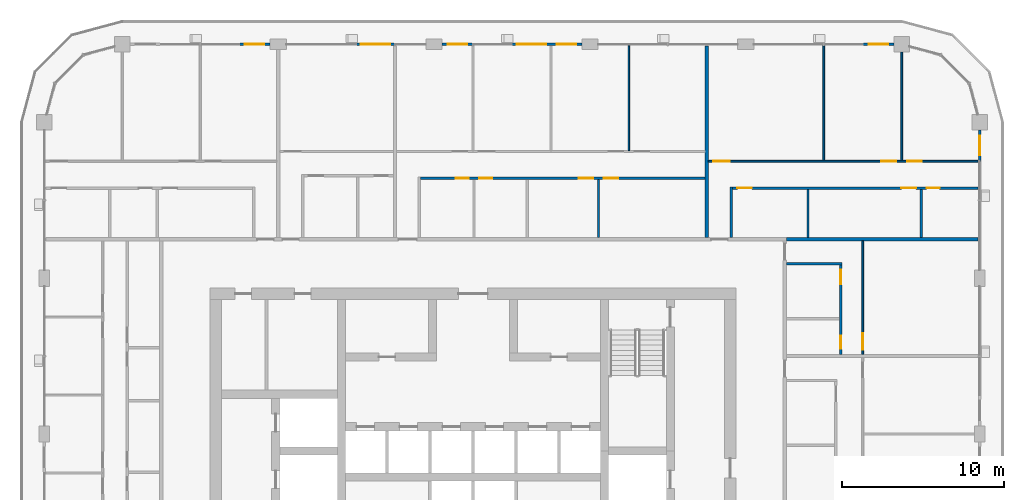
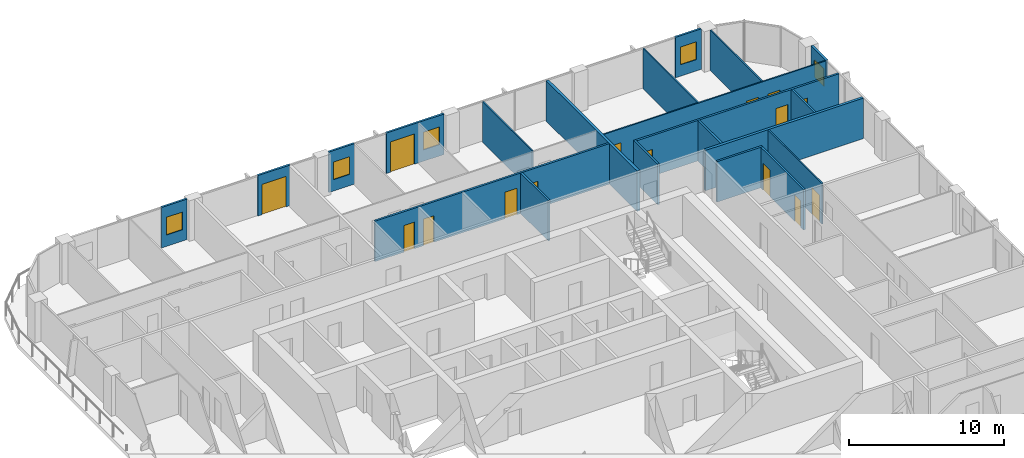
# One storey, part 15 of 23: 21 walls, 15 doors, 5 windows, 20 openings.
"""IFC4 building model written with IfcOpenShell, lengths in metres."""

from ifc_helpers import new_model, si_unit, direction, frame, frame_2d, origin, place, context, subcontext, project, spatial, rectangle, extrude, material, layer, layer_set, type_object, element, fill, save


model = new_model("IFC4")

# Units and contexts
model_context = context("Model", 3, precision=1e-05, world=origin(), true_north=direction((0.0, 1.0)))
body_context = subcontext(model_context, "Body", "Model", "MODEL_VIEW")
ifc_project = project(units=[si_unit("LENGTHUNIT", "METRE"), si_unit("AREAUNIT", "SQUARE_METRE"), si_unit("VOLUMEUNIT", "CUBIC_METRE"), si_unit("PLANEANGLEUNIT", "RADIAN"), si_unit("MASSUNIT", "GRAM", prefix="KILO")], contexts=[model_context])

# Site, building, storey
site_placement = place(None, origin())
site = spatial("IfcSite", under=ifc_project, at=site_placement, CompositionType="ELEMENT")
building_placement = place(site_placement, origin())
building = spatial("IfcBuilding", under=site, at=building_placement, Name="Madar Terraces", CompositionType="ELEMENT")
storey_placement = place(building_placement, frame((0.0, 0.0, 219.300048828125)))
storey = spatial("IfcBuildingStorey", under=building, at=storey_placement, Name="L57", CompositionType="ELEMENT", Elevation=219.300048828125)

# Wall, opening, window
ifc_material_1 = material(Name="Aluminium composite panel, black, over insulated backing", Category="aluminium")
ifc_layer_1 = layer(ifc_material_1, 0.14990234375)
ifc_layer_set_1 = layer_set([ifc_layer_1], Name="Facade bay panel 150")
wall_type_1 = type_object("IfcWallType", Name="Facade bay panel 150", PredefinedType="SOLIDWALL", material=ifc_layer_set_1)
wall_1_placement = place(storey_placement, frame((62.39990234375, 45.60009765625, 0.0), z_axis=(0.0, 0.0, 1.0), x_axis=(0.0, 1.0, 0.0)))
wall_1 = element("IfcWall", 1, at=wall_1_placement, inside=storey, type_object=wall_type_1, Name="Facade bay panel", PredefinedType="SOLIDWALL", context=body_context, shape_type="SweptSolid", body=[
    extrude(rectangle(XDim=1.9248046875, YDim=0.14990234375, at=frame_2d((0.96240234375, 0.0))), origin(), (0.0, 0.0, 1.0), 3.199951171875),
])
opening_1_placement = place(wall_1_placement, frame((0.362548828125, 0.0, 0.89990234375)))
opening_1 = element("IfcOpeningElement", 2, at=opening_1_placement, cuts=wall_1, Name="Opening W1", PredefinedType="OPENING", context=body_context, shape_type="SweptSolid", body=[
    extrude(rectangle(XDim=1.199951171875, YDim=1.39990234375, at=frame_2d((0.60009765625, 0.699951171875))), frame((0.0, 0.0849609375, 0.0), z_axis=(0.0, -1.0, 0.0), x_axis=(1.0, 0.0, 0.0)), (0.0, 0.0, 1.0), 0.169921875),
])
ifc_material_2 = material(Name="Glass, clear, with black aluminium frame", Category="aluminium")
window_type = type_object("IfcWindowType", Name="Vent window 1200 x 1400", PartitioningType="SINGLE_PANEL", PredefinedType="WINDOW", material=ifc_material_2)
window_1_placement = place(opening_1_placement, origin())
window_1 = element("IfcWindow", 3, at=window_1_placement, inside=storey, type_object=window_type, Name="Operable vent window", OverallHeight=1.39990234375, OverallWidth=1.199951171875, PartitioningType="SINGLE_PANEL", PredefinedType="WINDOW", context=body_context, shape_type="SweptSolid", body=[
    extrude(rectangle(XDim=1.199951171875, YDim=1.39990234375, at=frame_2d((0.60009765625, 0.699951171875))), frame((0.0, 0.030029296875, 0.0), z_axis=(0.0, -1.0, 0.0), x_axis=(1.0, 0.0, 0.0)), (0.0, 0.0, 1.0), 0.06005859375),
])
fill(opening_1, window_1)

wall_2_placement = place(storey_placement, frame((57.125, 52.800048828125, 0.0), z_axis=(0.0, 0.0, 1.0), x_axis=(-1.0, 0.0, 0.0)))
wall_2 = element("IfcWall", 4, at=wall_2_placement, inside=storey, type_object=wall_type_1, Name="Facade bay panel", PredefinedType="SOLIDWALL", context=body_context, shape_type="SweptSolid", body=[
    extrude(rectangle(XDim=1.925048828125, YDim=0.14990234375, at=frame_2d((0.96240234375, 0.0))), origin(), (0.0, 0.0, 1.0), 3.199951171875),
])
opening_2_placement = place(wall_2_placement, frame((0.362548828125, 0.0, 0.89990234375)))
opening_2 = element("IfcOpeningElement", 5, at=opening_2_placement, cuts=wall_2, Name="Opening W1", PredefinedType="OPENING", context=body_context, shape_type="SweptSolid", body=[
    extrude(rectangle(XDim=1.199951171875, YDim=1.39990234375, at=frame_2d((0.60009765625, 0.699951171875))), frame((0.0, 0.0849609375, 0.0), z_axis=(0.0, -1.0, 0.0), x_axis=(1.0, 0.0, 0.0)), (0.0, 0.0, 1.0), 0.169921875),
])
window_2_placement = place(opening_2_placement, origin())
window_2 = element("IfcWindow", 6, at=window_2_placement, inside=storey, type_object=window_type, Name="Operable vent window", OverallHeight=1.39990234375, OverallWidth=1.199951171875, PartitioningType="SINGLE_PANEL", PredefinedType="WINDOW", context=body_context, shape_type="SweptSolid", body=[
    extrude(rectangle(XDim=1.199951171875, YDim=1.39990234375, at=frame_2d((0.60009765625, 0.699951171875))), frame((0.0, 0.030029296875, 0.0), z_axis=(0.0, -1.0, 0.0), x_axis=(1.0, 0.0, 0.0)), (0.0, 0.0, 1.0), 0.06005859375),
])
fill(opening_2, window_2)

# Wall, openings, door, window
wall_3_placement = place(storey_placement, frame((37.89990234375, 52.800048828125, 0.0), z_axis=(0.0, 0.0, 1.0), x_axis=(-1.0, 0.0, 0.0)))
wall_3 = element("IfcWall", 7, at=wall_3_placement, inside=storey, type_object=wall_type_1, Name="Facade bay panel", PredefinedType="SOLIDWALL", context=body_context, shape_type="SweptSolid", body=[
    extrude(rectangle(XDim=4.2998046875, YDim=0.14990234375, at=frame_2d((2.14990234375, 0.0))), origin(), (0.0, 0.0, 1.0), 3.199951171875),
])
opening_3_placement = place(wall_3_placement, frame((0.35009765625, 0.0, 0.89990234375)))
opening_3 = element("IfcOpeningElement", 8, at=opening_3_placement, cuts=wall_3, Name="Opening W1", PredefinedType="OPENING", context=body_context, shape_type="SweptSolid", body=[
    extrude(rectangle(XDim=1.199951171875, YDim=1.39990234375, at=frame_2d((0.60009765625, 0.699951171875))), frame((0.0, 0.0849609375, 0.0), z_axis=(0.0, -1.0, 0.0), x_axis=(1.0, 0.0, 0.0)), (0.0, 0.0, 1.0), 0.169921875),
])
opening_4_placement = place(wall_3_placement, frame((2.199951171875, 0.0, 0.0)))
opening_4 = element("IfcOpeningElement", 9, at=opening_4_placement, cuts=wall_3, Name="Opening ED1", PredefinedType="OPENING", context=body_context, shape_type="SweptSolid", body=[
    extrude(rectangle(XDim=1.800048828125, YDim=2.39990234375, at=frame_2d((0.89990234375, 1.199951171875))), frame((0.0, 0.0849609375, 0.0), z_axis=(0.0, -1.0, 0.0), x_axis=(1.0, 0.0, 0.0)), (0.0, 0.0, 1.0), 0.169921875),
])
ifc_material_3 = material(Name="Glass, clear, with black aluminium frame", Category="aluminium")
door_type_1 = type_object("IfcDoorType", Name="Balcony and terrace sliding door 1800 x 2400", OperationType="SLIDING_TO_LEFT", PredefinedType="DOOR", material=ifc_material_3)
door_1_placement = place(opening_4_placement, origin())
door_1 = element("IfcDoor", 10, at=door_1_placement, inside=storey, type_object=door_type_1, Name="Balcony door", OperationType="SLIDING_TO_LEFT", OverallHeight=2.39990234375, OverallWidth=1.800048828125, PredefinedType="DOOR", context=body_context, shape_type="SweptSolid", body=[
    extrude(rectangle(XDim=1.800048828125, YDim=2.39990234375, at=frame_2d((0.89990234375, 1.199951171875))), frame((0.0, 0.02490234375, 0.0), z_axis=(0.0, -1.0, 0.0), x_axis=(1.0, 0.0, 0.0)), (0.0, 0.0, 1.0), 0.050048828125),
])
fill(opening_4, door_1)
window_3_placement = place(opening_3_placement, origin())
window_3 = element("IfcWindow", 11, at=window_3_placement, inside=storey, type_object=window_type, Name="Operable vent window", OverallHeight=1.39990234375, OverallWidth=1.199951171875, PartitioningType="SINGLE_PANEL", PredefinedType="WINDOW", context=body_context, shape_type="SweptSolid", body=[
    extrude(rectangle(XDim=1.199951171875, YDim=1.39990234375, at=frame_2d((0.60009765625, 0.699951171875))), frame((0.0, 0.030029296875, 0.0), z_axis=(0.0, -1.0, 0.0), x_axis=(1.0, 0.0, 0.0)), (0.0, 0.0, 1.0), 0.06005859375),
])
fill(opening_3, window_3)

# Wall, opening, window
wall_4_placement = place(storey_placement, frame((31.199951171875, 52.800048828125, 0.0), z_axis=(0.0, 0.0, 1.0), x_axis=(-1.0, 0.0, 0.0)))
wall_4 = element("IfcWall", 12, at=wall_4_placement, inside=storey, type_object=wall_type_1, Name="Facade bay panel", PredefinedType="SOLIDWALL", context=body_context, shape_type="SweptSolid", body=[
    extrude(rectangle(XDim=1.89990234375, YDim=0.14990234375, at=frame_2d((0.949951171875, 0.0))), origin(), (0.0, 0.0, 1.0), 3.199951171875),
])
opening_5_placement = place(wall_4_placement, frame((0.35009765625, 0.0, 0.89990234375)))
opening_5 = element("IfcOpeningElement", 13, at=opening_5_placement, cuts=wall_4, Name="Opening W1", PredefinedType="OPENING", context=body_context, shape_type="SweptSolid", body=[
    extrude(rectangle(XDim=1.199951171875, YDim=1.39990234375, at=frame_2d((0.60009765625, 0.699951171875))), frame((0.0, 0.0849609375, 0.0), z_axis=(0.0, -1.0, 0.0), x_axis=(1.0, 0.0, 0.0)), (0.0, 0.0, 1.0), 0.169921875),
])
window_4_placement = place(opening_5_placement, origin())
window_4 = element("IfcWindow", 14, at=window_4_placement, inside=storey, type_object=window_type, Name="Operable vent window", OverallHeight=1.39990234375, OverallWidth=1.199951171875, PartitioningType="SINGLE_PANEL", PredefinedType="WINDOW", context=body_context, shape_type="SweptSolid", body=[
    extrude(rectangle(XDim=1.199951171875, YDim=1.39990234375, at=frame_2d((0.60009765625, 0.699951171875))), frame((0.0, 0.030029296875, 0.0), z_axis=(0.0, -1.0, 0.0), x_axis=(1.0, 0.0, 0.0)), (0.0, 0.0, 1.0), 0.06005859375),
])
fill(opening_5, window_4)

# Wall, opening, door
wall_5_placement = place(storey_placement, frame((26.39990234375, 52.800048828125, 0.0), z_axis=(0.0, 0.0, 1.0), x_axis=(-1.0, 0.0, 0.0)))
wall_5 = element("IfcWall", 15, at=wall_5_placement, inside=storey, type_object=wall_type_1, Name="Facade bay panel", PredefinedType="SOLIDWALL", context=body_context, shape_type="SweptSolid", body=[
    extrude(rectangle(XDim=2.39990234375, YDim=0.14990234375, at=frame_2d((1.199951171875, 0.0))), origin(), (0.0, 0.0, 1.0), 3.199951171875),
])
opening_6_placement = place(wall_5_placement, frame((0.300048828125, 0.0, 0.0)))
opening_6 = element("IfcOpeningElement", 16, at=opening_6_placement, cuts=wall_5, Name="Opening ED1", PredefinedType="OPENING", context=body_context, shape_type="SweptSolid", body=[
    extrude(rectangle(XDim=1.800048828125, YDim=2.39990234375, at=frame_2d((0.89990234375, 1.199951171875))), frame((0.0, 0.0849609375, 0.0), z_axis=(0.0, -1.0, 0.0), x_axis=(1.0, 0.0, 0.0)), (0.0, 0.0, 1.0), 0.169921875),
])
door_2_placement = place(opening_6_placement, origin())
door_2 = element("IfcDoor", 17, at=door_2_placement, inside=storey, type_object=door_type_1, Name="Balcony door", OperationType="SLIDING_TO_RIGHT", OverallHeight=2.39990234375, OverallWidth=1.800048828125, PredefinedType="DOOR", context=body_context, shape_type="SweptSolid", body=[
    extrude(rectangle(XDim=1.800048828125, YDim=2.39990234375, at=frame_2d((0.89990234375, 1.199951171875))), frame((0.0, 0.02490234375, 0.0), z_axis=(0.0, -1.0, 0.0), x_axis=(1.0, 0.0, 0.0)), (0.0, 0.0, 1.0), 0.050048828125),
])
fill(opening_6, door_2)

# Wall, opening, window
wall_6_placement = place(storey_placement, frame((18.699951171875, 52.800048828125, 0.0), z_axis=(0.0, 0.0, 1.0), x_axis=(-1.0, 0.0, 0.0)))
wall_6 = element("IfcWall", 18, at=wall_6_placement, inside=storey, type_object=wall_type_1, Name="Facade bay panel", PredefinedType="SOLIDWALL", context=body_context, shape_type="SweptSolid", body=[
    extrude(rectangle(XDim=1.89990234375, YDim=0.14990234375, at=frame_2d((0.949951171875, 0.0))), origin(), (0.0, 0.0, 1.0), 3.199951171875),
])
opening_7_placement = place(wall_6_placement, frame((0.35009765625, 0.0, 0.89990234375)))
opening_7 = element("IfcOpeningElement", 19, at=opening_7_placement, cuts=wall_6, Name="Opening W1", PredefinedType="OPENING", context=body_context, shape_type="SweptSolid", body=[
    extrude(rectangle(XDim=1.199951171875, YDim=1.39990234375, at=frame_2d((0.60009765625, 0.699951171875))), frame((0.0, 0.0849609375, 0.0), z_axis=(0.0, -1.0, 0.0), x_axis=(1.0, 0.0, 0.0)), (0.0, 0.0, 1.0), 0.169921875),
])
window_5_placement = place(opening_7_placement, origin())
window_5 = element("IfcWindow", 20, at=window_5_placement, inside=storey, type_object=window_type, Name="Operable vent window", OverallHeight=1.39990234375, OverallWidth=1.199951171875, PartitioningType="SINGLE_PANEL", PredefinedType="WINDOW", context=body_context, shape_type="SweptSolid", body=[
    extrude(rectangle(XDim=1.199951171875, YDim=1.39990234375, at=frame_2d((0.60009765625, 0.699951171875))), frame((0.0, 0.030029296875, 0.0), z_axis=(0.0, -1.0, 0.0), x_axis=(1.0, 0.0, 0.0)), (0.0, 0.0, 1.0), 0.06005859375),
])
fill(opening_7, window_5)

# Wall, opening, door
ifc_material_4 = material(Name="Gypsum board on steel studs", Category="steel")
ifc_layer_2 = layer(ifc_material_4, 0.10009765625)
ifc_layer_set_2 = layer_set([ifc_layer_2], Name="Flat partition 100")
wall_type_2 = type_object("IfcWallType", Name="Flat partition 100", PredefinedType="PARTITIONING", material=ifc_layer_set_2)
wall_7_placement = place(storey_placement, frame((55.199951171875, 40.699951171875, 0.0), z_axis=(0.0, 0.0, 1.0), x_axis=(0.0, -1.0, 0.0)))
wall_7 = element("IfcWall", 21, at=wall_7_placement, inside=storey, type_object=wall_type_2, Name="Flat partition 100", PredefinedType="PARTITIONING", context=body_context, shape_type="SweptSolid", body=[
    extrude(rectangle(XDim=7.0, YDim=0.10009765625, at=frame_2d((3.5, 0.0))), origin(), (0.0, 0.0, 1.0), 3.199951171875),
])
opening_8_placement = place(wall_7_placement, frame((5.699951171875, 0.0, 0.0)))
opening_8 = element("IfcOpeningElement", 22, at=opening_8_placement, cuts=wall_7, Name="Opening D3", PredefinedType="OPENING", context=body_context, shape_type="SweptSolid", body=[
    extrude(rectangle(XDim=1.0, YDim=2.10009765625, at=frame_2d((0.5, 1.050048828125))), frame((0.0, 0.06005859375, 0.0), z_axis=(0.0, -1.0, 0.0), x_axis=(1.0, 0.0, 0.0)), (0.0, 0.0, 1.0), 0.1201171875),
])
ifc_material_5 = material(Name="Timber door leaf", Category="wood")
door_type_2 = type_object("IfcDoorType", Name="Flat living room door 1000", OperationType="NOTDEFINED", PredefinedType="DOOR", material=ifc_material_5)
door_3_placement = place(opening_8_placement, origin())
door_3 = element("IfcDoor", 23, at=door_3_placement, inside=storey, type_object=door_type_2, Name="Flat living room door 1000", OperationType="SINGLE_SWING_RIGHT", OverallHeight=2.10009765625, OverallWidth=1.0, PredefinedType="DOOR", context=body_context, shape_type="SweptSolid", body=[
    extrude(rectangle(XDim=1.0, YDim=2.10009765625, at=frame_2d((0.5, 1.050048828125))), frame((0.0, 0.02490234375, 0.0), z_axis=(0.0, -1.0, 0.0), x_axis=(1.0, 0.0, 0.0)), (0.0, 0.0, 1.0), 0.050048828125),
])
fill(opening_8, door_3)

# Walls
wall_8_placement = place(storey_placement, frame((52.800048828125, 45.64990234375, 0.0), z_axis=(0.0, 0.0, 1.0), x_axis=(0.0, 1.0, 0.0)))
element("IfcWall", 24, at=wall_8_placement, inside=storey, type_object=wall_type_2, Name="Flat partition 100", PredefinedType="PARTITIONING", context=body_context, shape_type="SweptSolid", body=[
    extrude(rectangle(XDim=7.050048828125, YDim=0.10009765625, at=frame_2d((3.52490234375, 0.0))), origin(), (0.0, 0.0, 1.0), 3.199951171875),
])
wall_9_placement = place(storey_placement, frame((57.60009765625, 45.64990234375, 0.0), z_axis=(0.0, 0.0, 1.0), x_axis=(0.0, 1.0, 0.0)))
element("IfcWall", 25, at=wall_9_placement, inside=storey, type_object=wall_type_2, Name="Flat partition 100", PredefinedType="PARTITIONING", context=body_context, shape_type="SweptSolid", body=[
    extrude(rectangle(XDim=6.675048828125, YDim=0.10009765625, at=frame_2d((3.33740234375, 0.0))), origin(), (0.0, 0.0, 1.0), 3.199951171875),
])

# Wall, openings, doors
wall_10_placement = place(storey_placement, frame((45.699951171875, 45.60009765625, 0.0), z_axis=(0.0, 0.0, 1.0), x_axis=(1.0, 0.0, 0.0)))
wall_10 = element("IfcWall", 26, at=wall_10_placement, inside=storey, type_object=wall_type_2, Name="Flat partition 100", PredefinedType="PARTITIONING", context=body_context, shape_type="SweptSolid", body=[
    extrude(rectangle(XDim=16.60009765625, YDim=0.10009765625, at=frame_2d((8.300048828125, 0.0))), origin(), (0.0, 0.0, 1.0), 3.199951171875),
])
opening_9_placement = place(wall_10_placement, frame((0.300048828125, 0.0, 0.0)))
opening_9 = element("IfcOpeningElement", 27, at=opening_9_placement, cuts=wall_10, Name="Opening D3", PredefinedType="OPENING", context=body_context, shape_type="SweptSolid", body=[
    extrude(rectangle(XDim=1.0, YDim=2.10009765625, at=frame_2d((0.5, 1.050048828125))), frame((0.0, 0.06005859375, 0.0), z_axis=(0.0, -1.0, 0.0), x_axis=(1.0, 0.0, 0.0)), (0.0, 0.0, 1.0), 0.1201171875),
])
opening_10_placement = place(wall_10_placement, frame((10.64990234375, 0.0, 0.0)))
opening_10 = element("IfcOpeningElement", 28, at=opening_10_placement, cuts=wall_10, Name="Opening D2", PredefinedType="OPENING", context=body_context, shape_type="SweptSolid", body=[
    extrude(rectangle(XDim=0.89990234375, YDim=2.10009765625, at=frame_2d((0.449951171875, 1.050048828125))), frame((0.0, 0.06005859375, 0.0), z_axis=(0.0, -1.0, 0.0), x_axis=(1.0, 0.0, 0.0)), (0.0, 0.0, 1.0), 0.1201171875),
])
opening_11_placement = place(wall_10_placement, frame((12.25, 0.0, 0.0)))
opening_11 = element("IfcOpeningElement", 29, at=opening_11_placement, cuts=wall_10, Name="Opening D2", PredefinedType="OPENING", context=body_context, shape_type="SweptSolid", body=[
    extrude(rectangle(XDim=0.89990234375, YDim=2.10009765625, at=frame_2d((0.449951171875, 1.050048828125))), frame((0.0, 0.06005859375, 0.0), z_axis=(0.0, -1.0, 0.0), x_axis=(1.0, 0.0, 0.0)), (0.0, 0.0, 1.0), 0.1201171875),
])
door_4_placement = place(opening_9_placement, origin())
door_4 = element("IfcDoor", 30, at=door_4_placement, inside=storey, type_object=door_type_2, Name="Flat living room door 1000", OperationType="SINGLE_SWING_LEFT", OverallHeight=2.10009765625, OverallWidth=1.0, PredefinedType="DOOR", context=body_context, shape_type="SweptSolid", body=[
    extrude(rectangle(XDim=1.0, YDim=2.10009765625, at=frame_2d((0.5, 1.050048828125))), frame((0.0, 0.02490234375, 0.0), z_axis=(0.0, -1.0, 0.0), x_axis=(1.0, 0.0, 0.0)), (0.0, 0.0, 1.0), 0.050048828125),
])
fill(opening_9, door_4)
ifc_material_6 = material(Name="Timber door leaf", Category="wood")
door_type_3 = type_object("IfcDoorType", Name="Flat room door 900", OperationType="NOTDEFINED", PredefinedType="DOOR", material=ifc_material_6)
door_5_placement = place(opening_10_placement, origin())
door_5 = element("IfcDoor", 31, at=door_5_placement, inside=storey, type_object=door_type_3, Name="Flat room door 900", OperationType="SINGLE_SWING_RIGHT", OverallHeight=2.10009765625, OverallWidth=0.89990234375, PredefinedType="DOOR", context=body_context, shape_type="SweptSolid", body=[
    extrude(rectangle(XDim=0.89990234375, YDim=2.10009765625, at=frame_2d((0.449951171875, 1.050048828125))), frame((0.0, 0.02490234375, 0.0), z_axis=(0.0, -1.0, 0.0), x_axis=(1.0, 0.0, 0.0)), (0.0, 0.0, 1.0), 0.050048828125),
])
fill(opening_10, door_5)
door_6_placement = place(opening_11_placement, origin())
door_6 = element("IfcDoor", 32, at=door_6_placement, inside=storey, type_object=door_type_3, Name="Flat room door 900", OperationType="SINGLE_SWING_LEFT", OverallHeight=2.10009765625, OverallWidth=0.89990234375, PredefinedType="DOOR", context=body_context, shape_type="SweptSolid", body=[
    extrude(rectangle(XDim=0.89990234375, YDim=2.10009765625, at=frame_2d((0.449951171875, 1.050048828125))), frame((0.0, 0.02490234375, 0.0), z_axis=(0.0, -1.0, 0.0), x_axis=(1.0, 0.0, 0.0)), (0.0, 0.0, 1.0), 0.050048828125),
])
fill(opening_11, door_6)

# Walls
wall_11_placement = place(storey_placement, frame((40.800048828125, 46.25, 0.0), z_axis=(0.0, 0.0, 1.0), x_axis=(0.0, 1.0, 0.0)))
element("IfcWall", 33, at=wall_11_placement, inside=storey, type_object=wall_type_2, Name="Flat partition 100", PredefinedType="PARTITIONING", context=body_context, shape_type="SweptSolid", body=[
    extrude(rectangle(XDim=6.449951171875, YDim=0.10009765625, at=frame_2d((3.22509765625, 0.0))), origin(), (0.0, 0.0, 1.0), 3.199951171875),
])
ifc_material_7 = material(Name="Lightweight blockwork", Category="masonry")
ifc_layer_3 = layer(ifc_material_7, 0.199951171875)
ifc_layer_set_3 = layer_set([ifc_layer_3], Name="Flat party and entrance wall 200")
wall_type_3 = type_object("IfcWallType", Name="Flat party and entrance wall 200", PredefinedType="PARTITIONING", material=ifc_layer_set_3)
for number, where, z_axis, x_axis, name in (
    (34, (50.5, 40.800048828125, 0.0), (0.0, 0.0, 1.0), (1.0, 0.0, 0.0), "Flat party and entrance wall 200"),
    (35, (45.60009765625, 52.699951171875, 0.0), (0.0, 0.0, 1.0), (0.0, -1.0, 0.0), "Flat party and entrance wall 200"),
):
    element("IfcWall", number, at=place(storey_placement, frame(where, z_axis=z_axis, x_axis=x_axis)), inside=storey, type_object=wall_type_3, Name=name, PredefinedType="PARTITIONING", context=body_context, shape_type="SweptSolid", body=[
        extrude(rectangle(XDim=11.800048828125, YDim=0.199951171875, at=frame_2d((5.89990234375, 0.0))), origin(), (0.0, 0.0, 1.0), 3.199951171875),
    ])
ifc_material_8 = material(Name="Lightweight blockwork", Category="masonry")
ifc_layer_4 = layer(ifc_material_8, 0.14990234375)
ifc_layer_set_4 = layer_set([ifc_layer_4], Name="Flat wet-room partition 150")
wall_type_4 = type_object("IfcWallType", Name="Flat wet-room partition 150", PredefinedType="PARTITIONING", material=ifc_layer_set_4)
wall_12_placement = place(storey_placement, frame((50.5, 39.300048828125, 0.0), z_axis=(0.0, 0.0, 1.0), x_axis=(1.0, 0.0, 0.0)))
element("IfcWall", 36, at=wall_12_placement, inside=storey, type_object=wall_type_4, Name="Flat wet-room partition 150", PredefinedType="PARTITIONING", context=body_context, shape_type="SweptSolid", body=[
    extrude(rectangle(XDim=3.425048828125, YDim=0.14990234375, at=frame_2d((1.71240234375, 0.0))), origin(), (0.0, 0.0, 1.0), 3.199951171875),
])

# Wall, openings, doors
wall_13_placement = place(storey_placement, frame((53.85009765625, 33.699951171875, 0.0), z_axis=(0.0, 0.0, 1.0), x_axis=(0.0, 1.0, 0.0)))
wall_13 = element("IfcWall", 37, at=wall_13_placement, inside=storey, type_object=wall_type_4, Name="Flat wet-room partition 150", PredefinedType="PARTITIONING", context=body_context, shape_type="SweptSolid", body=[
    extrude(rectangle(XDim=5.525146484375, YDim=0.14990234375, at=frame_2d((2.7626953125, 0.0))), origin(), (0.0, 0.0, 1.0), 3.199951171875),
])
opening_12_placement = place(wall_13_placement, frame((4.324951171875, 0.0, 0.0)))
opening_12 = element("IfcOpeningElement", 38, at=opening_12_placement, cuts=wall_13, Name="Opening D2", PredefinedType="OPENING", context=body_context, shape_type="SweptSolid", body=[
    extrude(rectangle(XDim=0.89990234375, YDim=2.10009765625, at=frame_2d((0.449951171875, 1.050048828125))), frame((0.0, 0.0849609375, 0.0), z_axis=(0.0, -1.0, 0.0), x_axis=(1.0, 0.0, 0.0)), (0.0, 0.0, 1.0), 0.169921875),
])
opening_13_placement = place(wall_13_placement, frame((0.35009765625, 0.0, 0.0)))
opening_13 = element("IfcOpeningElement", 39, at=opening_13_placement, cuts=wall_13, Name="Opening D4", PredefinedType="OPENING", context=body_context, shape_type="SweptSolid", body=[
    extrude(rectangle(XDim=0.800048828125, YDim=2.10009765625, at=frame_2d((0.39990234375, 1.050048828125))), frame((0.0, 0.0849609375, 0.0), z_axis=(0.0, -1.0, 0.0), x_axis=(1.0, 0.0, 0.0)), (0.0, 0.0, 1.0), 0.169921875),
])
ifc_material_9 = material(Name="Timber door leaf", Category="wood")
door_type_4 = type_object("IfcDoorType", Name="Flat bathroom door 800", OperationType="NOTDEFINED", PredefinedType="DOOR", material=ifc_material_9)
door_7_placement = place(opening_13_placement, origin())
door_7 = element("IfcDoor", 40, at=door_7_placement, inside=storey, type_object=door_type_4, Name="Flat bathroom door 800", OperationType="SINGLE_SWING_LEFT", OverallHeight=2.10009765625, OverallWidth=0.800048828125, PredefinedType="DOOR", context=body_context, shape_type="SweptSolid", body=[
    extrude(rectangle(XDim=0.800048828125, YDim=2.10009765625, at=frame_2d((0.39990234375, 1.050048828125))), frame((0.0, 0.02490234375, 0.0), z_axis=(0.0, -1.0, 0.0), x_axis=(1.0, 0.0, 0.0)), (0.0, 0.0, 1.0), 0.050048828125),
])
fill(opening_13, door_7)
door_8_placement = place(opening_12_placement, origin())
door_8 = element("IfcDoor", 41, at=door_8_placement, inside=storey, type_object=door_type_3, Name="Flat room door 900", OperationType="SINGLE_SWING_RIGHT", OverallHeight=2.10009765625, OverallWidth=0.89990234375, PredefinedType="DOOR", context=body_context, shape_type="SweptSolid", body=[
    extrude(rectangle(XDim=0.89990234375, YDim=2.10009765625, at=frame_2d((0.449951171875, 1.050048828125))), frame((0.0, 0.02490234375, 0.0), z_axis=(0.0, -1.0, 0.0), x_axis=(1.0, 0.0, 0.0)), (0.0, 0.0, 1.0), 0.050048828125),
])
fill(opening_12, door_8)

# Walls
for number, where, z_axis, x_axis, name in (
    (42, (51.828857421875, 40.89990234375, 0.0), (0.0, 0.0, 1.0), (0.0, 1.0, 0.0), "Flat wet-room partition 150"),
    (43, (58.8095703125, 40.89990234375, 0.0), (0.0, 0.0, 1.0), (0.0, 1.0, 0.0), "Flat wet-room partition 150"),
):
    element("IfcWall", number, at=place(storey_placement, frame(where, z_axis=z_axis, x_axis=x_axis)), inside=storey, type_object=wall_type_4, Name=name, PredefinedType="PARTITIONING", context=body_context, shape_type="SweptSolid", body=[
        extrude(rectangle(XDim=2.97509765625, YDim=0.14990234375, at=frame_2d((1.487548828125, 0.0))), origin(), (0.0, 0.0, 1.0), 3.199951171875),
    ])
wall_14_placement = place(storey_placement, frame((47.10009765625, 40.89990234375, 0.0), z_axis=(0.0, 0.0, 1.0), x_axis=(0.0, 1.0, 0.0)))
element("IfcWall", 44, at=wall_14_placement, inside=storey, type_object=wall_type_4, Name="Flat wet-room partition 150", PredefinedType="PARTITIONING", context=body_context, shape_type="SweptSolid", body=[
    extrude(rectangle(XDim=3.125, YDim=0.14990234375, at=frame_2d((1.5625, 0.0))), origin(), (0.0, 0.0, 1.0), 3.199951171875),
])

# Wall, openings, doors
wall_15_placement = place(storey_placement, frame((62.300048828125, 43.949951171875, 0.0), z_axis=(0.0, 0.0, 1.0), x_axis=(-1.0, 0.0, 0.0)))
wall_15 = element("IfcWall", 45, at=wall_15_placement, inside=storey, type_object=wall_type_4, Name="Flat wet-room partition 150", PredefinedType="PARTITIONING", context=body_context, shape_type="SweptSolid", body=[
    extrude(rectangle(XDim=15.125, YDim=0.14990234375, at=frame_2d((7.5625, 0.0))), origin(), (0.0, 0.0, 1.0), 3.199951171875),
])
opening_14_placement = place(wall_15_placement, frame((13.925048828125, 0.0, 0.0)))
opening_14 = element("IfcOpeningElement", 46, at=opening_14_placement, cuts=wall_15, Name="Opening D5", PredefinedType="OPENING", context=body_context, shape_type="SweptSolid", body=[
    extrude(rectangle(XDim=0.89990234375, YDim=2.10009765625, at=frame_2d((0.449951171875, 1.050048828125))), frame((0.0, 0.0849609375, 0.0), z_axis=(0.0, -1.0, 0.0), x_axis=(1.0, 0.0, 0.0)), (0.0, 0.0, 1.0), 0.169921875),
])
opening_15_placement = place(wall_15_placement, frame((3.8154296875, 0.0, 0.0)))
opening_15 = element("IfcOpeningElement", 47, at=opening_15_placement, cuts=wall_15, Name="Opening D2", PredefinedType="OPENING", context=body_context, shape_type="SweptSolid", body=[
    extrude(rectangle(XDim=0.89990234375, YDim=2.10009765625, at=frame_2d((0.449951171875, 1.050048828125))), frame((0.0, 0.0849609375, 0.0), z_axis=(0.0, -1.0, 0.0), x_axis=(1.0, 0.0, 0.0)), (0.0, 0.0, 1.0), 0.169921875),
])
opening_16_placement = place(wall_15_placement, frame((2.365478515625, 0.0, 0.0)))
opening_16 = element("IfcOpeningElement", 48, at=opening_16_placement, cuts=wall_15, Name="Opening D4", PredefinedType="OPENING", context=body_context, shape_type="SweptSolid", body=[
    extrude(rectangle(XDim=0.800048828125, YDim=2.10009765625, at=frame_2d((0.39990234375, 1.050048828125))), frame((0.0, 0.0849609375, 0.0), z_axis=(0.0, -1.0, 0.0), x_axis=(1.0, 0.0, 0.0)), (0.0, 0.0, 1.0), 0.169921875),
])
ifc_material_10 = material(Name="Timber door leaf", Category="wood")
door_type_5 = type_object("IfcDoorType", Name="Flat accessible bathroom door 900", OperationType="NOTDEFINED", PredefinedType="DOOR", material=ifc_material_10)
door_9_placement = place(opening_14_placement, origin())
door_9 = element("IfcDoor", 49, at=door_9_placement, inside=storey, type_object=door_type_5, Name="Flat accessible bathroom door 900", OperationType="SINGLE_SWING_RIGHT", OverallHeight=2.10009765625, OverallWidth=0.89990234375, PredefinedType="DOOR", context=body_context, shape_type="SweptSolid", body=[
    extrude(rectangle(XDim=0.89990234375, YDim=2.10009765625, at=frame_2d((0.449951171875, 1.050048828125))), frame((0.0, 0.02490234375, 0.0), z_axis=(0.0, -1.0, 0.0), x_axis=(1.0, 0.0, 0.0)), (0.0, 0.0, 1.0), 0.050048828125),
])
fill(opening_14, door_9)
door_10_placement = place(opening_16_placement, origin())
door_10 = element("IfcDoor", 50, at=door_10_placement, inside=storey, type_object=door_type_4, Name="Flat bathroom door 800", OperationType="SINGLE_SWING_RIGHT", OverallHeight=2.10009765625, OverallWidth=0.800048828125, PredefinedType="DOOR", context=body_context, shape_type="SweptSolid", body=[
    extrude(rectangle(XDim=0.800048828125, YDim=2.10009765625, at=frame_2d((0.39990234375, 1.050048828125))), frame((0.0, 0.02490234375, 0.0), z_axis=(0.0, -1.0, 0.0), x_axis=(1.0, 0.0, 0.0)), (0.0, 0.0, 1.0), 0.050048828125),
])
fill(opening_16, door_10)
door_11_placement = place(opening_15_placement, origin())
door_11 = element("IfcDoor", 51, at=door_11_placement, inside=storey, type_object=door_type_3, Name="Flat room door 900", OperationType="SINGLE_SWING_LEFT", OverallHeight=2.10009765625, OverallWidth=0.89990234375, PredefinedType="DOOR", context=body_context, shape_type="SweptSolid", body=[
    extrude(rectangle(XDim=0.89990234375, YDim=2.10009765625, at=frame_2d((0.449951171875, 1.050048828125))), frame((0.0, 0.02490234375, 0.0), z_axis=(0.0, -1.0, 0.0), x_axis=(1.0, 0.0, 0.0)), (0.0, 0.0, 1.0), 0.050048828125),
])
fill(opening_15, door_11)

# Wall
wall_16_placement = place(storey_placement, frame((38.927978515625, 40.89990234375, 0.0), z_axis=(0.0, 0.0, 1.0), x_axis=(0.0, 1.0, 0.0)))
element("IfcWall", 52, at=wall_16_placement, inside=storey, type_object=wall_type_4, Name="Flat wet-room partition 150", PredefinedType="PARTITIONING", context=body_context, shape_type="SweptSolid", body=[
    extrude(rectangle(XDim=3.5751953125, YDim=0.14990234375, at=frame_2d((1.78759765625, 0.0))), origin(), (0.0, 0.0, 1.0), 3.199951171875),
])

# Wall, openings, doors
wall_17_placement = place(storey_placement, frame((45.5, 44.550048828125, 0.0), z_axis=(0.0, 0.0, 1.0), x_axis=(-1.0, 0.0, 0.0)))
wall_17 = element("IfcWall", 53, at=wall_17_placement, inside=storey, type_object=wall_type_4, Name="Flat wet-room partition 150", PredefinedType="PARTITIONING", context=body_context, shape_type="SweptSolid", body=[
    extrude(rectangle(XDim=17.52490234375, YDim=0.14990234375, at=frame_2d((8.762451171875, 0.0))), origin(), (0.0, 0.0, 1.0), 3.199951171875),
])
opening_17_placement = place(wall_17_placement, frame((14.564208984375, 0.0, 0.0)))
opening_17 = element("IfcOpeningElement", 54, at=opening_17_placement, cuts=wall_17, Name="Opening D7", PredefinedType="OPENING", context=body_context, shape_type="SweptSolid", body=[
    extrude(rectangle(XDim=0.800048828125, YDim=2.10009765625, at=frame_2d((0.39990234375, 1.050048828125))), frame((0.0, 0.0849609375, 0.0), z_axis=(0.0, -1.0, 0.0), x_axis=(1.0, 0.0, 0.0)), (0.0, 0.0, 1.0), 0.169921875),
])
opening_18_placement = place(wall_17_placement, frame((13.114013671875, 0.0, 0.0)))
opening_18 = element("IfcOpeningElement", 55, at=opening_18_placement, cuts=wall_17, Name="Opening D4", PredefinedType="OPENING", context=body_context, shape_type="SweptSolid", body=[
    extrude(rectangle(XDim=0.800048828125, YDim=2.10009765625, at=frame_2d((0.39990234375, 1.050048828125))), frame((0.0, 0.0849609375, 0.0), z_axis=(0.0, -1.0, 0.0), x_axis=(1.0, 0.0, 0.0)), (0.0, 0.0, 1.0), 0.169921875),
])
opening_19_placement = place(wall_17_placement, frame((6.89697265625, 0.0, 0.0)))
opening_19 = element("IfcOpeningElement", 56, at=opening_19_placement, cuts=wall_17, Name="Opening D5", PredefinedType="OPENING", context=body_context, shape_type="SweptSolid", body=[
    extrude(rectangle(XDim=0.89990234375, YDim=2.10009765625, at=frame_2d((0.449951171875, 1.050048828125))), frame((0.0, 0.0849609375, 0.0), z_axis=(0.0, -1.0, 0.0), x_axis=(1.0, 0.0, 0.0)), (0.0, 0.0, 1.0), 0.169921875),
])
opening_20_placement = place(wall_17_placement, frame((5.346923828125, 0.0, 0.0)))
opening_20 = element("IfcOpeningElement", 57, at=opening_20_placement, cuts=wall_17, Name="Opening D2", PredefinedType="OPENING", context=body_context, shape_type="SweptSolid", body=[
    extrude(rectangle(XDim=0.89990234375, YDim=2.10009765625, at=frame_2d((0.449951171875, 1.050048828125))), frame((0.0, 0.0849609375, 0.0), z_axis=(0.0, -1.0, 0.0), x_axis=(1.0, 0.0, 0.0)), (0.0, 0.0, 1.0), 0.169921875),
])
door_12_placement = place(opening_19_placement, origin())
door_12 = element("IfcDoor", 58, at=door_12_placement, inside=storey, type_object=door_type_5, Name="Flat accessible bathroom door 900", OperationType="SINGLE_SWING_LEFT", OverallHeight=2.10009765625, OverallWidth=0.89990234375, PredefinedType="DOOR", context=body_context, shape_type="SweptSolid", body=[
    extrude(rectangle(XDim=0.89990234375, YDim=2.10009765625, at=frame_2d((0.449951171875, 1.050048828125))), frame((0.0, 0.02490234375, 0.0), z_axis=(0.0, -1.0, 0.0), x_axis=(1.0, 0.0, 0.0)), (0.0, 0.0, 1.0), 0.050048828125),
])
fill(opening_19, door_12)
door_13_placement = place(opening_18_placement, origin())
door_13 = element("IfcDoor", 59, at=door_13_placement, inside=storey, type_object=door_type_4, Name="Flat bathroom door 800", OperationType="SINGLE_SWING_RIGHT", OverallHeight=2.10009765625, OverallWidth=0.800048828125, PredefinedType="DOOR", context=body_context, shape_type="SweptSolid", body=[
    extrude(rectangle(XDim=0.800048828125, YDim=2.10009765625, at=frame_2d((0.39990234375, 1.050048828125))), frame((0.0, 0.02490234375, 0.0), z_axis=(0.0, -1.0, 0.0), x_axis=(1.0, 0.0, 0.0)), (0.0, 0.0, 1.0), 0.050048828125),
])
fill(opening_18, door_13)
door_14_placement = place(opening_20_placement, origin())
door_14 = element("IfcDoor", 60, at=door_14_placement, inside=storey, type_object=door_type_3, Name="Flat room door 900", OperationType="SINGLE_SWING_RIGHT", OverallHeight=2.10009765625, OverallWidth=0.89990234375, PredefinedType="DOOR", context=body_context, shape_type="SweptSolid", body=[
    extrude(rectangle(XDim=0.89990234375, YDim=2.10009765625, at=frame_2d((0.449951171875, 1.050048828125))), frame((0.0, 0.02490234375, 0.0), z_axis=(0.0, -1.0, 0.0), x_axis=(1.0, 0.0, 0.0)), (0.0, 0.0, 1.0), 0.050048828125),
])
fill(opening_20, door_14)
ifc_material_11 = material(Name="Timber door leaf", Category="wood")
door_type_6 = type_object("IfcDoorType", Name="Flat utility door 800", OperationType="NOTDEFINED", PredefinedType="DOOR", material=ifc_material_11)
door_15_placement = place(opening_17_placement, origin())
door_15 = element("IfcDoor", 61, at=door_15_placement, inside=storey, type_object=door_type_6, Name="Flat utility door 800", OperationType="SINGLE_SWING_LEFT", OverallHeight=2.10009765625, OverallWidth=0.800048828125, PredefinedType="DOOR", context=body_context, shape_type="SweptSolid", body=[
    extrude(rectangle(XDim=0.800048828125, YDim=2.10009765625, at=frame_2d((0.39990234375, 1.050048828125))), frame((0.0, 0.02490234375, 0.0), z_axis=(0.0, -1.0, 0.0), x_axis=(1.0, 0.0, 0.0)), (0.0, 0.0, 1.0), 0.050048828125),
])
fill(opening_17, door_15)

save(model, "model.ifc")
